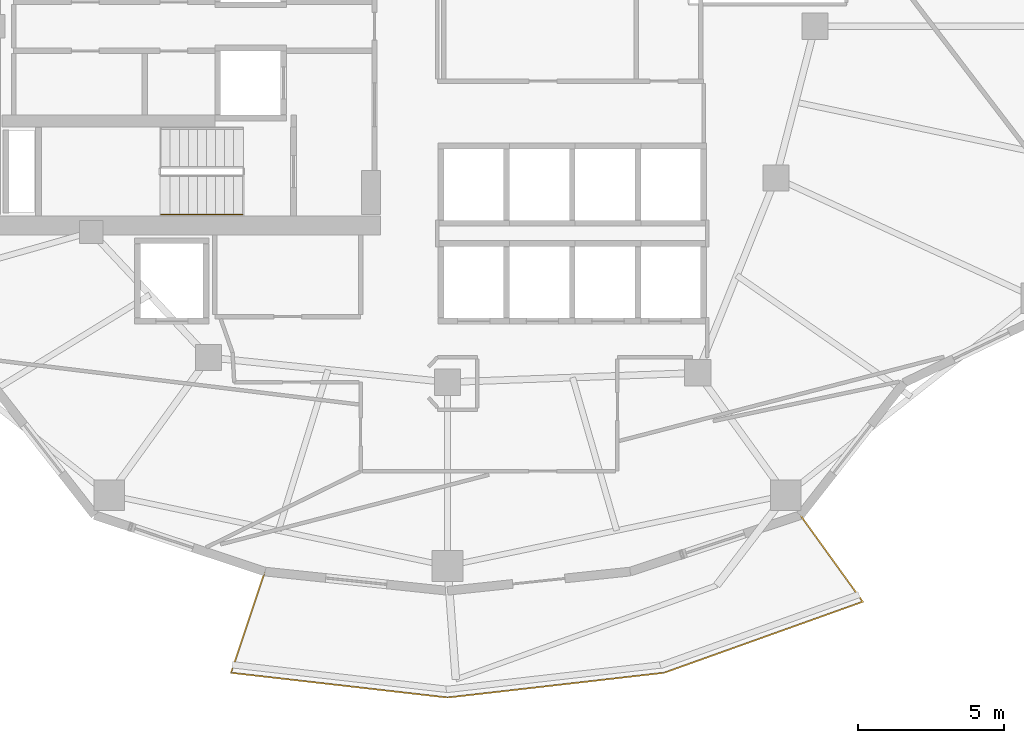
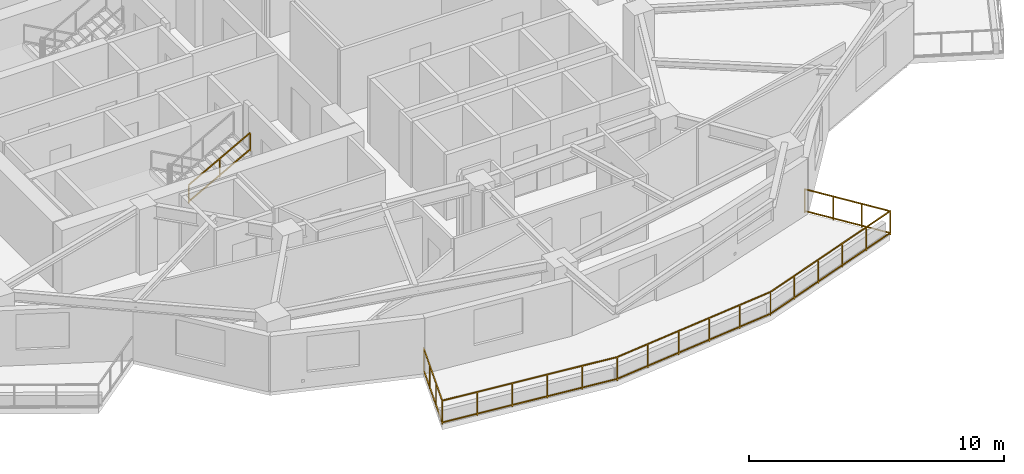
# One storey, part 11 of 14: 2 railings.
"""IFC4 building model written with IfcOpenShell, lengths in metres."""

from ifc_helpers import new_model, si_unit, direction, frame, origin, origin_2d, place, context, subcontext, project, spatial, rectangle, extrude, material, type_object, element, save


model = new_model("IFC4")

# Units and contexts
model_context = context("Model", 3, precision=1e-05, world=origin(), true_north=direction((0.0, 1.0)))
body_context = subcontext(model_context, "Body", "Model", "MODEL_VIEW")
ifc_project = project(units=[si_unit("LENGTHUNIT", "METRE"), si_unit("AREAUNIT", "SQUARE_METRE"), si_unit("VOLUMEUNIT", "CUBIC_METRE"), si_unit("PLANEANGLEUNIT", "RADIAN"), si_unit("MASSUNIT", "GRAM", prefix="KILO")], contexts=[model_context])

# Site, building, storey
site_placement = place(None, origin())
site = spatial("IfcSite", under=ifc_project, at=site_placement, CompositionType="ELEMENT")
building_placement = place(site_placement, origin())
building = spatial("IfcBuilding", under=site, at=building_placement, Name="Kolvaren Gate Tower and Convention Centre", CompositionType="ELEMENT")
storey_placement = place(building_placement, frame((0.0, 0.0, 118.89990234375)))
storey = spatial("IfcBuildingStorey", under=building, at=storey_placement, Name="L29", CompositionType="ELEMENT", Elevation=118.89990234375)

# Railings
ifc_material = material(Name="Brushed Stainless Steel Grade 316L", Category="steel")
railing_type_1 = type_object("IfcRailingType", Name="ARCH-RL-GUARD-1150", PredefinedType="GUARDRAIL", material=ifc_material)
railing_1_placement = place(storey_placement, frame((23.86474609375, 8.309326171875, 0.0)))
element("IfcRailing", 1, at=railing_1_placement, inside=storey, type_object=railing_type_1, Name="Tower L29 Terrace Perimeter Guardrail GR-3", PredefinedType="GUARDRAIL", context=body_context, shape_type="SweptSolid", body=[
    extrude(rectangle(XDim=0.048095703125, YDim=0.048095703125, at=origin_2d()), frame((-0.0087890625, -0.026611328125, 1.1259765625), z_axis=(-0.317588247294, -0.948228719867, 0.0), x_axis=(0.948228719867, -0.317588247294, 0.0)), (0.0, 0.0, 1.0), 3.603759765625),
    extrude(rectangle(XDim=0.048095703125, YDim=0.048095703125, at=origin_2d()), frame((-0.0087890625, -0.026611328125, 0.083984375), z_axis=(-0.317588247294, -0.948228719867, 0.0), x_axis=(0.948228719867, -0.317588247294, 0.0)), (0.0, 0.0, 1.0), 3.603759765625),
    extrude(rectangle(XDim=0.048095703125, YDim=0.048095703125, at=origin_2d()), frame((-1.134521484375, -3.4736328125, 1.1259765625), z_axis=(0.993523927361, -0.113623086387, 0.0), x_axis=(0.113623086387, 0.993523927361, 0.0)), (0.0, 0.0, 1.0), 7.414794921875),
    extrude(rectangle(XDim=0.048095703125, YDim=0.048095703125, at=origin_2d()), frame((-1.134521484375, -3.4736328125, 0.083984375), z_axis=(0.993523927361, -0.113623086387, 0.0), x_axis=(0.113623086387, 0.993523927361, 0.0)), (0.0, 0.0, 1.0), 7.414794921875),
    extrude(rectangle(XDim=0.048095703125, YDim=0.048095703125, at=origin_2d()), frame((6.2880859375, -4.316162109375, 1.1259765625), z_axis=(0.993523927361, 0.113623086387, 0.0), x_axis=(-0.113623086387, 0.993523927361, 0.0)), (0.0, 0.0, 1.0), 7.414794921875),
    extrude(rectangle(XDim=0.048095703125, YDim=0.048095703125, at=origin_2d()), frame((6.2880859375, -4.316162109375, 0.083984375), z_axis=(0.993523927361, 0.113623086387, 0.0), x_axis=(-0.113623086387, 0.993523927361, 0.0)), (0.0, 0.0, 1.0), 7.414794921875),
    extrude(rectangle(XDim=0.048095703125, YDim=0.048095703125, at=origin_2d()), frame((13.709228515625, -3.4609375, 1.1259765625), z_axis=(0.941628873241, 0.336652736627, 0.0), x_axis=(-0.336652736627, 0.941628873241, 0.0)), (0.0, 0.0, 1.0), 7.17919921875),
    extrude(rectangle(XDim=0.048095703125, YDim=0.048095703125, at=origin_2d()), frame((13.709228515625, -3.4609375, 0.083984375), z_axis=(0.941628873241, 0.336652736627, 0.0), x_axis=(-0.336652736627, 0.941628873241, 0.0)), (0.0, 0.0, 1.0), 7.17919921875),
    extrude(rectangle(XDim=0.048095703125, YDim=0.048095703125, at=origin_2d()), frame((20.4794921875, -1.011962890625, 1.1259765625), z_axis=(-0.585212870465, 0.810879705161, 0.0), x_axis=(-0.810879705161, -0.585212870465, 0.0)), (0.0, 0.0, 1.0), 3.603759765625),
    extrude(rectangle(XDim=0.048095703125, YDim=0.048095703125, at=origin_2d()), frame((20.4794921875, -1.011962890625, 0.083984375), z_axis=(-0.585212870465, 0.810879705161, 0.0), x_axis=(-0.810879705161, -0.585212870465, 0.0)), (0.0, 0.0, 1.0), 3.603759765625),
    extrude(rectangle(XDim=0.0419921875, YDim=0.0419921875, at=origin_2d()), origin(), (0.0, 0.0, 1.0), 1.14990234375),
    extrude(rectangle(XDim=0.0419921875, YDim=0.0419921875, at=origin_2d()), frame((-1.162353515625, -3.470458984375, 0.0)), (0.0, 0.0, 1.0), 1.14990234375),
    extrude(rectangle(XDim=0.0419921875, YDim=0.0419921875, at=origin_2d()), frame((-0.387451171875, -1.15673828125, 0.0)), (0.0, 0.0, 1.0), 1.099853515625),
    extrude(rectangle(XDim=0.0419921875, YDim=0.0419921875, at=origin_2d()), frame((-0.77490234375, -2.313720703125, 0.0)), (0.0, 0.0, 1.0), 1.099853515625),
    extrude(rectangle(XDim=0.0419921875, YDim=0.0419921875, at=origin_2d()), frame((6.26025390625, -4.3193359375, 0.0)), (0.0, 0.0, 1.0), 1.14990234375),
    extrude(rectangle(XDim=0.0419921875, YDim=0.0419921875, at=origin_2d()), frame((0.322265625, -3.64013671875, 0.0)), (0.0, 0.0, 1.0), 1.099853515625),
    extrude(rectangle(XDim=0.0419921875, YDim=0.0419921875, at=origin_2d()), frame((1.806640625, -3.81005859375, 0.0)), (0.0, 0.0, 1.0), 1.099853515625),
    extrude(rectangle(XDim=0.0419921875, YDim=0.0419921875, at=origin_2d()), frame((3.291259765625, -3.979736328125, 0.0)), (0.0, 0.0, 1.0), 1.099853515625),
    extrude(rectangle(XDim=0.0419921875, YDim=0.0419921875, at=origin_2d()), frame((4.775634765625, -4.149658203125, 0.0)), (0.0, 0.0, 1.0), 1.099853515625),
    extrude(rectangle(XDim=0.0419921875, YDim=0.0419921875, at=origin_2d()), frame((13.682861328125, -3.470458984375, 0.0)), (0.0, 0.0, 1.0), 1.14990234375),
    extrude(rectangle(XDim=0.0419921875, YDim=0.0419921875, at=origin_2d()), frame((7.744873046875, -4.149658203125, 0.0)), (0.0, 0.0, 1.0), 1.099853515625),
    extrude(rectangle(XDim=0.0419921875, YDim=0.0419921875, at=origin_2d()), frame((9.229248046875, -3.979736328125, 0.0)), (0.0, 0.0, 1.0), 1.099853515625),
    extrude(rectangle(XDim=0.0419921875, YDim=0.0419921875, at=origin_2d()), frame((10.7138671875, -3.81005859375, 0.0)), (0.0, 0.0, 1.0), 1.099853515625),
    extrude(rectangle(XDim=0.0419921875, YDim=0.0419921875, at=origin_2d()), frame((12.1982421875, -3.64013671875, 0.0)), (0.0, 0.0, 1.0), 1.099853515625),
    extrude(rectangle(XDim=0.0419921875, YDim=0.0419921875, at=origin_2d()), frame((20.495849609375, -1.03466796875, 0.0)), (0.0, 0.0, 1.0), 1.14990234375),
    extrude(rectangle(XDim=0.0419921875, YDim=0.0419921875, at=origin_2d()), frame((15.04541015625, -2.9833984375, 0.0)), (0.0, 0.0, 1.0), 1.099853515625),
    extrude(rectangle(XDim=0.0419921875, YDim=0.0419921875, at=origin_2d()), frame((16.407958984375, -2.49609375, 0.0)), (0.0, 0.0, 1.0), 1.099853515625),
    extrude(rectangle(XDim=0.0419921875, YDim=0.0419921875, at=origin_2d()), frame((17.770751953125, -2.009033203125, 0.0)), (0.0, 0.0, 1.0), 1.099853515625),
    extrude(rectangle(XDim=0.0419921875, YDim=0.0419921875, at=origin_2d()), frame((19.13330078125, -1.521728515625, 0.0)), (0.0, 0.0, 1.0), 1.099853515625),
    extrude(rectangle(XDim=0.0419921875, YDim=0.0419921875, at=origin_2d()), frame((18.35400390625, 1.93310546875, 0.0)), (0.0, 0.0, 1.0), 1.14990234375),
    extrude(rectangle(XDim=0.0419921875, YDim=0.0419921875, at=origin_2d()), frame((19.781982421875, -0.04541015625, 0.0)), (0.0, 0.0, 1.0), 1.099853515625),
    extrude(rectangle(XDim=0.0419921875, YDim=0.0419921875, at=origin_2d()), frame((19.06787109375, 0.94384765625, 0.0)), (0.0, 0.0, 1.0), 1.099853515625),
])
railing_type_2 = type_object("IfcRailingType", Name="ARCH-RL-HANDRAIL-920", PredefinedType="HANDRAIL", material=ifc_material)
railing_2_placement = place(storey_placement, frame((20.31005859375, 20.550048828125, 1.8701171875)))
element("IfcRailing", 2, at=railing_2_placement, inside=storey, type_object=railing_type_2, Name="L29 ST-T2 stair handrail 2", PredefinedType="HANDRAIL", context=body_context, shape_type="SweptSolid", body=[
    extrude(rectangle(XDim=0.048095703125, YDim=0.048095703125, at=origin_2d()), frame((0.0, 0.0, 0.8759765625), z_axis=(0.876811365212, 0.0, 0.480834513982), x_axis=(0.0, 1.0, 0.0)), (0.0, 0.0, 1.0), 3.18212890625),
    extrude(rectangle(XDim=0.048095703125, YDim=0.048095703125, at=origin_2d()), frame((0.0, 0.0, 0.083984375), z_axis=(0.876811365212, 0.0, 0.480834513982), x_axis=(0.0, 1.0, 0.0)), (0.0, 0.0, 1.0), 3.18212890625),
    extrude(rectangle(XDim=0.0419921875, YDim=0.0419921875, at=origin_2d()), origin(), (0.0, 0.0, 1.0), 0.849853515625),
    extrude(rectangle(XDim=0.0419921875, YDim=0.0419921875, at=origin_2d()), frame((2.7900390625, 0.0, 1.530029296875)), (0.0, 0.0, 1.0), 0.849853515625),
    extrude(rectangle(XDim=0.0419921875, YDim=0.0419921875, at=origin_2d()), frame((1.39501953125, 0.0, 0.76513671875)), (0.0, 0.0, 1.0), 0.849853515625),
])

save(model, "model.ifc")
